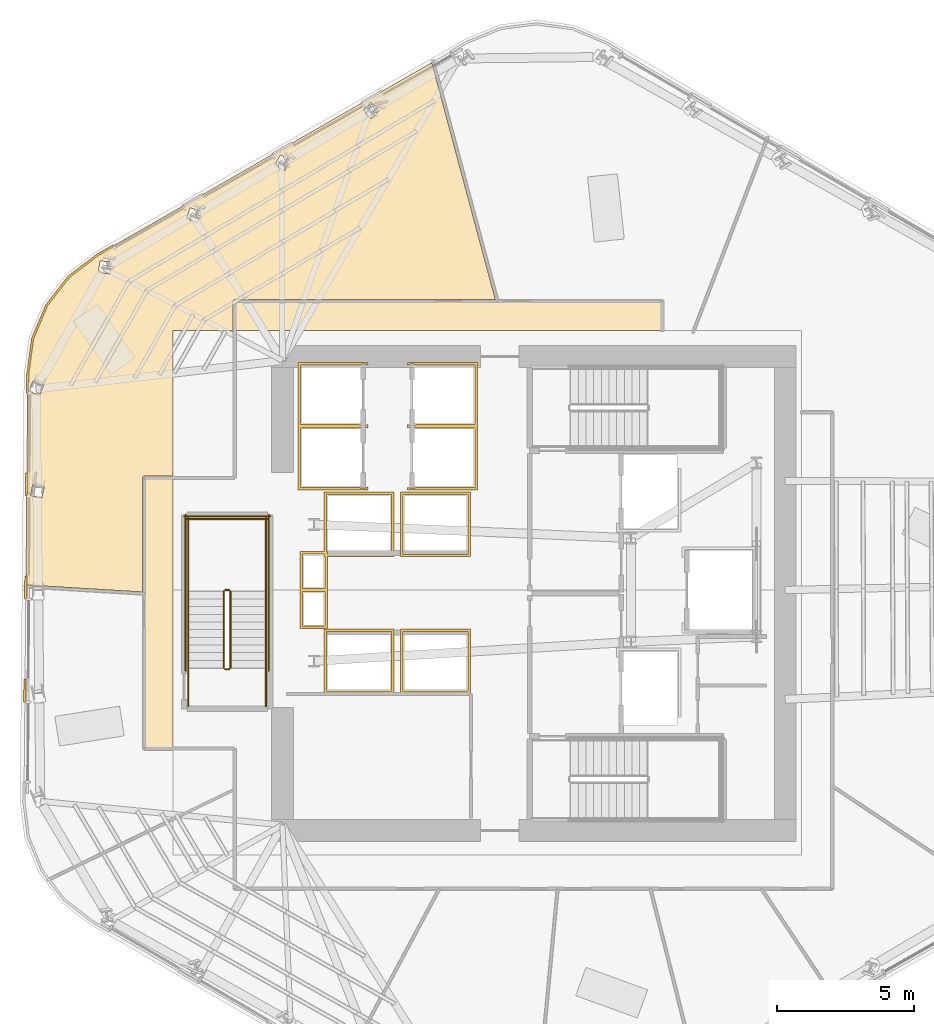
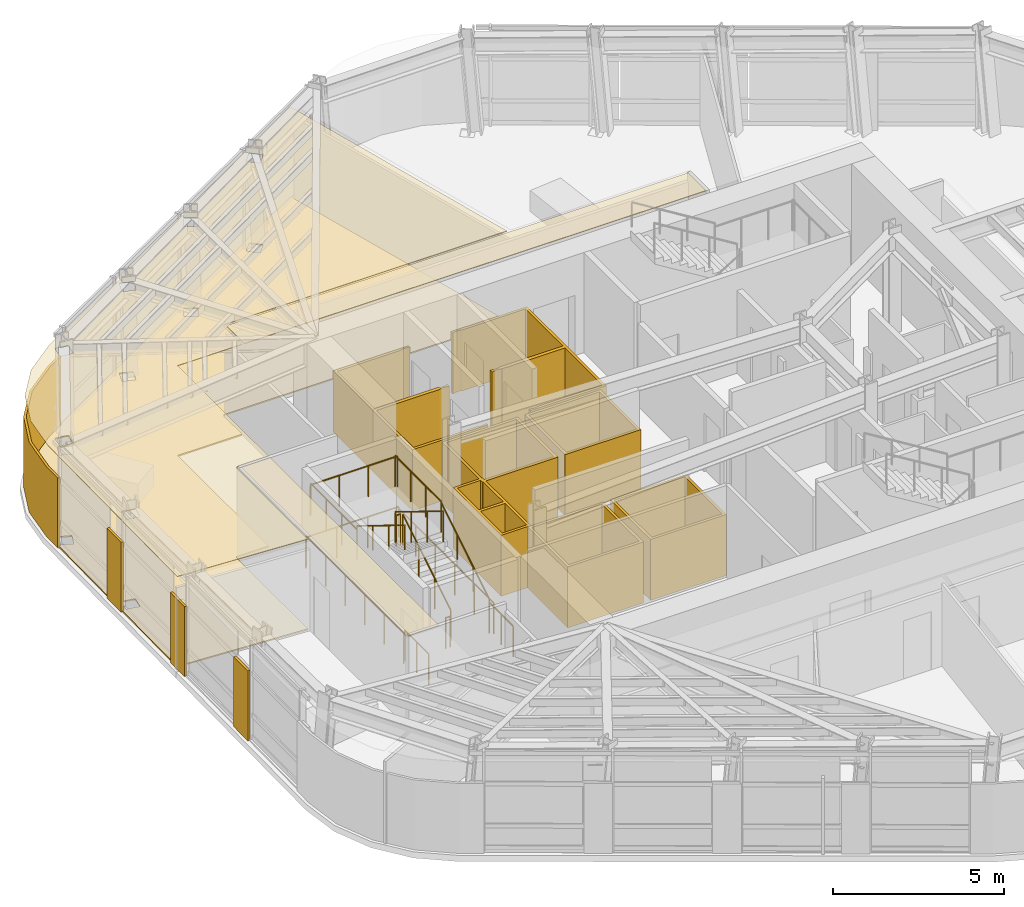
# One storey, part 12 of 16: 14 coverings, 14 railings.
"""IFC4 building model written with IfcOpenShell, lengths in metres."""

from ifc_helpers import new_model, si_unit, direction, frame, origin, origin_2d, place, context, subcontext, project, spatial, polyline, circle, outline, extrude, material, layer, layer_set, type_object, element, save


model = new_model("IFC4")

# Units and contexts
model_context = context("Model", 3, precision=1e-05, world=origin(), true_north=direction((0.0, 1.0)))
body_context = subcontext(model_context, "Body", "Model", "MODEL_VIEW")
ifc_project = project(units=[si_unit("LENGTHUNIT", "METRE"), si_unit("AREAUNIT", "SQUARE_METRE"), si_unit("VOLUMEUNIT", "CUBIC_METRE"), si_unit("PLANEANGLEUNIT", "RADIAN"), si_unit("MASSUNIT", "GRAM", prefix="KILO")], contexts=[model_context])

# Site, building, storey
site_placement = place(None, origin())
site = spatial("IfcSite", under=ifc_project, at=site_placement, CompositionType="ELEMENT")
building_placement = place(site_placement, origin())
building = spatial("IfcBuilding", under=site, at=building_placement, Name="Valkerne Bourse Tower", CompositionType="ELEMENT")
storey_placement = place(building_placement, frame((0.0, 0.0, 151.39990234375)))
storey = spatial("IfcBuildingStorey", under=building, at=storey_placement, Name="L38", CompositionType="ELEMENT", Elevation=151.39990234375)

# Coverings
ifc_material_1 = material(Name="Mineral Fiber Acoustic Ceiling Tile", Category="acoustic")
ifc_layer_1 = layer(ifc_material_1, 0.02490234375)
ifc_layer_set_1 = layer_set([ifc_layer_1], Name="Mineral Fiber Acoustic Ceiling Tile")
covering_type_1 = type_object("IfcCoveringType", Name="COV-CEIL-ACT", PredefinedType="CEILING", material=ifc_layer_set_1)
covering_1_placement = place(storey_placement, frame((0.0, 0.0, 3.22998046875)))
element("IfcCovering", 1, at=covering_1_placement, inside=storey, type_object=covering_type_1, Name="L38 Suspended Ceiling 11", PredefinedType="CEILING", context=body_context, shape_type="SweptSolid", body=[
    extrude(outline(polyline([(28.970703125, 37.418701171875), (29.779296875, 38.461181640625), (30.83837890625, 39.26513671875), (43.065673828125, 46.302490234375), (45.392333984375, 37.62890625), (35.849365234375, 37.62890625), (35.80419921875, 37.61181640625), (35.787353515625, 37.589111328125), (35.781005859375, 37.560302734375), (35.781005859375, 36.5), (33.60009765625, 36.5), (33.60009765625, 31.1689453125), (32.549560546875, 31.1689453125), (32.52001953125, 31.162109375), (32.49462890625, 31.1416015625), (32.48095703125, 31.1005859375), (32.48095703125, 26.9296875), (28.208740234375, 27.18701171875), (28.27880859375, 34.885009765625), (28.459228515625, 36.2021484375), (28.970703125, 37.418701171875)]), holes=[polyline([(28.876708984375, 30.779296875), (28.87744140625, 30.781982421875), (28.4619140625, 30.869384765625), (28.376708984375, 30.465087890625), (28.376220703125, 30.46240234375), (28.791748046875, 30.375), (28.876708984375, 30.779296875)]), polyline([(28.8720703125, 34.502685546875), (28.480224609375, 34.666748046875), (28.32080078125, 34.285888671875), (28.319580078125, 34.283203125), (28.71142578125, 34.119140625), (28.870849609375, 34.500244140625), (28.8720703125, 34.502685546875)]), polyline([(31.33349609375, 38.99658203125), (30.923095703125, 39.052001953125), (30.92138671875, 39.049560546875), (30.865966796875, 38.629638671875), (31.2763671875, 38.574462890625), (31.278076171875, 38.57666015625), (31.33349609375, 38.99658203125)]), polyline([(34.614013671875, 40.861572265625), (34.22119140625, 40.992919921875), (34.21923828125, 40.990966796875), (34.0859375, 40.5888671875), (34.478759765625, 40.45751953125), (34.480712890625, 40.45947265625), (34.614013671875, 40.861572265625)]), polyline([(37.674072265625, 42.3505859375), (37.88623046875, 42.71728515625), (37.5283203125, 42.925537109375), (37.526123046875, 42.92431640625), (37.313720703125, 42.5576171875), (37.671630859375, 42.34912109375), (37.674072265625, 42.3505859375)]), polyline([(40.8642578125, 44.253662109375), (41.146728515625, 44.569580078125), (40.8388671875, 44.84619140625), (40.836181640625, 44.845458984375), (40.5537109375, 44.529541015625), (40.86181640625, 44.252685546875), (40.8642578125, 44.253662109375)])]), origin(), (0.0, 0.0, 1.0), 0.025146484375),
])
ifc_material_2 = material(Name="Bronze Anodised Aluminium AA 6063-T6", Category="aluminium")
ifc_layer_2 = layer(ifc_material_2, 0.030029296875)
ifc_layer_set_2 = layer_set([ifc_layer_2], Name="Bronze Anodised Aluminium AA 6063-T6")
covering_type_2 = type_object("IfcCoveringType", Name="COV-CEIL-METAL", PredefinedType="CEILING", material=ifc_layer_set_2)
covering_2_placement = place(storey_placement, frame((0.0, 0.0, 3.22998046875)))
element("IfcCovering", 2, at=covering_2_placement, inside=storey, type_object=covering_type_2, Name="L38 Suspended Ceiling 02", PredefinedType="CEILING", context=body_context, shape_type="SweptSolid", body=[
    extrude(outline(polyline([(32.553955078125, 21.2041015625), (32.553955078125, 31.095947265625), (33.60009765625, 31.095947265625), (33.60009765625, 21.2041015625), (32.553955078125, 21.2041015625)])), origin(), (0.0, 0.0, 1.0), 0.025146484375),
])
covering_3_placement = place(storey_placement, frame((0.0, 0.0, 3.22998046875)))
element("IfcCovering", 3, at=covering_3_placement, inside=storey, type_object=covering_type_2, Name="L38 Suspended Ceiling 03", PredefinedType="CEILING", context=body_context, shape_type="SweptSolid", body=[
    extrude(outline(polyline([(35.85400390625, 37.555908203125), (51.49609375, 37.555908203125), (51.49609375, 36.5), (35.85400390625, 36.5), (35.85400390625, 37.555908203125)])), origin(), (0.0, 0.0, 1.0), 0.025146484375),
])
ifc_layer_3 = layer(ifc_material_2, 0.06005859375)
ifc_layer_set_3 = layer_set([ifc_layer_3], Name="Bronze Anodised Aluminium AA 6063-T6")
covering_type_3 = type_object("IfcCoveringType", Name="COV-CRN-ALUM", PredefinedType="CLADDING", material=ifc_layer_set_3)
covering_4_placement = place(storey_placement, origin())
element("IfcCovering", 4, at=covering_4_placement, inside=storey, type_object=covering_type_3, Name="L38 Wind-Shaped Corner Aluminium Cladding 10", PredefinedType="CLADDING", context=body_context, shape_type="SweptSolid", body=[
    extrude(outline(polyline([(28.13330078125, 23.74658203125), (28.21337890625, 23.74609375), (28.205810546875, 22.90625), (28.125732421875, 22.90673828125), (28.13330078125, 23.74658203125)])), origin(), (0.0, 0.0, 1.0), 2.5),
])
covering_5_placement = place(storey_placement, origin())
element("IfcCovering", 5, at=covering_5_placement, inside=storey, type_object=covering_type_3, Name="L38 Wind-Shaped Corner Aluminium Cladding 11", PredefinedType="CLADDING", context=body_context, shape_type="SweptSolid", body=[
    extrude(outline(polyline([(28.167724609375, 27.517578125), (28.247802734375, 27.51708984375), (28.239990234375, 26.67724609375), (28.159912109375, 26.677490234375), (28.167724609375, 27.517578125)])), origin(), (0.0, 0.0, 1.0), 2.5),
])
covering_6_placement = place(storey_placement, origin())
element("IfcCovering", 6, at=covering_6_placement, inside=storey, type_object=covering_type_3, Name="L38 Wind-Shaped Corner Aluminium Cladding 12", PredefinedType="CLADDING", context=body_context, shape_type="SweptSolid", body=[
    extrude(outline(polyline([(28.201904296875, 31.288330078125), (28.281982421875, 31.2880859375), (28.2744140625, 30.447998046875), (28.1943359375, 30.448486328125), (28.201904296875, 31.288330078125)])), origin(), (0.0, 0.0, 1.0), 2.5),
])
covering_7_placement = place(storey_placement, origin())
element("IfcCovering", 7, at=covering_7_placement, inside=storey, type_object=covering_type_3, Name="L38 Wind-Shaped Corner Aluminium Cladding 13", PredefinedType="CLADDING", context=body_context, shape_type="SweptSolid", body=[
    extrude(outline(polyline([(28.23486328125, 34.88818359375), (28.41650390625, 36.2138671875), (28.932373046875, 37.44091796875), (29.748046875, 38.492919921875), (30.81396484375, 39.3017578125), (31.393798828125, 39.635498046875), (31.433349609375, 39.56591796875), (30.858154296875, 39.235107421875), (29.804931640625, 38.435546875), (29.001953125, 37.400390625), (28.494384765625, 36.192626953125), (28.314697265625, 34.882568359375), (28.30859375, 34.218994140625), (28.228759765625, 34.219482421875), (28.23486328125, 34.88818359375)])), origin(), (0.0, 0.0, 1.0), 2.5),
])
ifc_material_3 = material(Name="Galvanised Painted Steel", Category="steel")
ifc_layer_4 = layer(ifc_material_3, 0.044921875)
ifc_layer_set_4 = layer_set([ifc_layer_4], Name="Galvanised Painted Steel")
covering_type_4 = type_object("IfcCoveringType", Name="COV-FLR-RAF", PredefinedType="FLOORING", material=ifc_layer_set_4)
covering_8_placement = place(storey_placement, origin())
element("IfcCovering", 8, at=covering_8_placement, inside=storey, type_object=covering_type_4, Name="L38 Floor Finish 11", PredefinedType="FLOORING", context=body_context, shape_type="SweptSolid", body=[
    extrude(outline(polyline([(28.970703125, 37.418701171875), (29.779296875, 38.461181640625), (30.83837890625, 39.26513671875), (43.065673828125, 46.302490234375), (45.392333984375, 37.62890625), (35.849365234375, 37.62890625), (35.80419921875, 37.61181640625), (35.787353515625, 37.589111328125), (35.781005859375, 37.560302734375), (35.781005859375, 36.5), (33.60009765625, 36.5), (33.60009765625, 31.1689453125), (32.549560546875, 31.1689453125), (32.52001953125, 31.162109375), (32.49462890625, 31.1416015625), (32.48095703125, 31.1005859375), (32.48095703125, 26.9296875), (28.208740234375, 27.18701171875), (28.27880859375, 34.885009765625), (28.459228515625, 36.2021484375), (28.970703125, 37.418701171875)]), holes=[polyline([(28.876708984375, 30.779296875), (28.87744140625, 30.781982421875), (28.4619140625, 30.869384765625), (28.376708984375, 30.465087890625), (28.376220703125, 30.46240234375), (28.791748046875, 30.375), (28.876708984375, 30.779296875)]), polyline([(28.8720703125, 34.502685546875), (28.480224609375, 34.666748046875), (28.32080078125, 34.285888671875), (28.319580078125, 34.283203125), (28.71142578125, 34.119140625), (28.870849609375, 34.500244140625), (28.8720703125, 34.502685546875)]), polyline([(31.33349609375, 38.99658203125), (30.923095703125, 39.052001953125), (30.92138671875, 39.049560546875), (30.865966796875, 38.629638671875), (31.2763671875, 38.574462890625), (31.278076171875, 38.57666015625), (31.33349609375, 38.99658203125)]), polyline([(34.614013671875, 40.861572265625), (34.22119140625, 40.992919921875), (34.21923828125, 40.990966796875), (34.0859375, 40.5888671875), (34.478759765625, 40.45751953125), (34.480712890625, 40.45947265625), (34.614013671875, 40.861572265625)]), polyline([(37.674072265625, 42.3505859375), (37.88623046875, 42.71728515625), (37.5283203125, 42.925537109375), (37.526123046875, 42.92431640625), (37.313720703125, 42.5576171875), (37.671630859375, 42.34912109375), (37.674072265625, 42.3505859375)]), polyline([(40.8642578125, 44.253662109375), (41.146728515625, 44.569580078125), (40.8388671875, 44.84619140625), (40.836181640625, 44.845458984375), (40.5537109375, 44.529541015625), (40.86181640625, 44.252685546875), (40.8642578125, 44.253662109375)])]), origin(), (0.0, 0.0, 1.0), 0.045166015625),
])
ifc_material_4 = material(Name="Gypsum Shaftwall Liner Board", Category="gypsum")
ifc_layer_5 = layer(ifc_material_4, 0.080078125)
ifc_layer_set_5 = layer_set([ifc_layer_5], Name="Gypsum Shaftwall Liner Board")
covering_type_5 = type_object("IfcCoveringType", Name="COV-SHF-CLAD", PredefinedType="CLADDING", material=ifc_layer_set_5)
covering_9_placement = place(storey_placement, origin())
element("IfcCovering", 9, at=covering_9_placement, inside=storey, type_object=covering_type_5, Name="L38 Hoistway & Riser Shaftwall Liner 01", PredefinedType="CLADDING", context=body_context, shape_type="SweptSolid", body=[
    extrude(outline(polyline([(41.679931640625, 25.580078125), (41.679931640625, 23.219970703125), (39.1201171875, 23.219970703125), (39.1201171875, 25.580078125), (41.679931640625, 25.580078125)]), holes=[polyline([(41.590087890625, 25.489990234375), (39.2099609375, 25.489990234375), (39.2099609375, 23.31005859375), (41.590087890625, 23.31005859375), (41.590087890625, 25.489990234375)])]), origin(), (0.0, 0.0, 1.0), 2.18017578125),
])
covering_10_placement = place(storey_placement, origin())
element("IfcCovering", 10, at=covering_10_placement, inside=storey, type_object=covering_type_5, Name="L38 Hoistway & Riser Shaftwall Liner 02", PredefinedType="CLADDING", context=body_context, shape_type="SweptSolid", body=[
    extrude(outline(polyline([(44.47998046875, 23.219970703125), (41.919921875, 23.219970703125), (41.919921875, 25.580078125), (44.47998046875, 25.580078125), (44.47998046875, 23.219970703125)]), holes=[polyline([(42.010009765625, 25.489990234375), (42.010009765625, 23.31005859375), (44.389892578125, 23.31005859375), (44.389892578125, 25.489990234375), (42.010009765625, 25.489990234375)])]), origin(), (0.0, 0.0, 1.0), 2.18017578125),
])
covering_11_placement = place(storey_placement, origin())
element("IfcCovering", 11, at=covering_11_placement, inside=storey, type_object=covering_type_5, Name="L38 Hoistway & Riser Shaftwall Liner 03", PredefinedType="CLADDING", context=body_context, shape_type="SweptSolid", body=[
    extrude(outline(polyline([(38.239990234375, 28.409912109375), (39.1201171875, 28.409912109375), (39.1201171875, 30.580078125), (41.679931640625, 30.580078125), (41.679931640625, 28.219970703125), (39.239990234375, 28.219970703125), (39.239990234375, 27.0400390625), (39.239990234375, 26.9599609375), (39.239990234375, 25.590087890625), (38.239990234375, 25.590087890625), (38.239990234375, 26.9599609375), (38.239990234375, 27.0400390625), (38.239990234375, 28.409912109375)]), holes=[polyline([(38.330078125, 26.949951171875), (38.330078125, 25.679931640625), (39.14990234375, 25.679931640625), (39.14990234375, 26.949951171875), (38.330078125, 26.949951171875)]), polyline([(39.2099609375, 30.489990234375), (39.2099609375, 28.409912109375), (39.239990234375, 28.409912109375), (39.239990234375, 28.31005859375), (41.590087890625, 28.31005859375), (41.590087890625, 30.489990234375), (39.2099609375, 30.489990234375)]), polyline([(38.330078125, 27.050048828125), (39.14990234375, 27.050048828125), (39.14990234375, 28.219970703125), (39.1201171875, 28.219970703125), (39.1201171875, 28.320068359375), (38.330078125, 28.320068359375), (38.330078125, 27.050048828125)])]), origin(), (0.0, 0.0, 1.0), 2.18017578125),
])
covering_12_placement = place(storey_placement, origin())
element("IfcCovering", 12, at=covering_12_placement, inside=storey, type_object=covering_type_5, Name="L38 Hoistway & Riser Shaftwall Liner 04", PredefinedType="CLADDING", context=body_context, shape_type="SweptSolid", body=[
    extrude(outline(polyline([(38.169921875, 35.330078125), (40.72998046875, 35.330078125), (40.72998046875, 35.232177734375), (40.72216796875, 35.235595703125), (40.6806640625, 35.25048828125), (40.6376953125, 35.261474609375), (40.593994140625, 35.267822265625), (40.550048828125, 35.27001953125), (40.505859375, 35.267822265625), (40.462158203125, 35.261474609375), (40.41943359375, 35.25048828125), (40.3896484375, 35.239990234375), (38.260009765625, 35.239990234375), (38.260009765625, 33.06005859375), (40.3896484375, 33.06005859375), (40.41943359375, 33.04931640625), (40.462158203125, 33.03857421875), (40.505859375, 33.0322265625), (40.550048828125, 33.030029296875), (40.593994140625, 33.0322265625), (40.6376953125, 33.03857421875), (40.6806640625, 33.04931640625), (40.72216796875, 33.064208984375), (40.72998046875, 33.06787109375), (40.72998046875, 33.030029296875), (40.72998046875, 32.969970703125), (40.72998046875, 32.93212890625), (40.72216796875, 32.935791015625), (40.6806640625, 32.95068359375), (40.6376953125, 32.96142578125), (40.593994140625, 32.9677734375), (40.550048828125, 32.969970703125), (40.505859375, 32.9677734375), (40.462158203125, 32.96142578125), (40.41943359375, 32.95068359375), (40.3896484375, 32.93994140625), (38.260009765625, 32.93994140625), (38.260009765625, 30.760009765625), (40.3896484375, 30.760009765625), (40.41943359375, 30.74951171875), (40.462158203125, 30.738525390625), (40.505859375, 30.732177734375), (40.550048828125, 30.72998046875), (40.593994140625, 30.732177734375), (40.6376953125, 30.738525390625), (40.6806640625, 30.74951171875), (40.72216796875, 30.764404296875), (40.72998046875, 30.767822265625), (40.72998046875, 30.669921875), (38.169921875, 30.669921875), (38.169921875, 32.969970703125), (38.169921875, 33.030029296875), (38.169921875, 35.330078125)])), origin(), (0.0, 0.0, 1.0), 2.18017578125),
])
covering_13_placement = place(storey_placement, origin())
element("IfcCovering", 13, at=covering_13_placement, inside=storey, type_object=covering_type_5, Name="L38 Hoistway & Riser Shaftwall Liner 07", PredefinedType="CLADDING", context=body_context, shape_type="SweptSolid", body=[
    extrude(outline(polyline([(44.47998046875, 28.219970703125), (41.919921875, 28.219970703125), (41.919921875, 30.580078125), (44.47998046875, 30.580078125), (44.47998046875, 28.219970703125)]), holes=[polyline([(42.010009765625, 30.489990234375), (42.010009765625, 28.31005859375), (44.389892578125, 28.31005859375), (44.389892578125, 30.489990234375), (42.010009765625, 30.489990234375)])]), origin(), (0.0, 0.0, 1.0), 2.18017578125),
])
covering_14_placement = place(storey_placement, origin())
element("IfcCovering", 14, at=covering_14_placement, inside=storey, type_object=covering_type_5, Name="L38 Hoistway & Riser Shaftwall Liner 09", PredefinedType="CLADDING", context=body_context, shape_type="SweptSolid", body=[
    extrude(outline(polyline([(42.169921875, 33.06787109375), (42.177734375, 33.064208984375), (42.219482421875, 33.04931640625), (42.26220703125, 33.03857421875), (42.305908203125, 33.0322265625), (42.35009765625, 33.030029296875), (42.39404296875, 33.0322265625), (42.437744140625, 33.03857421875), (42.480712890625, 33.04931640625), (42.51025390625, 33.06005859375), (44.639892578125, 33.06005859375), (44.639892578125, 35.239990234375), (42.51025390625, 35.239990234375), (42.480712890625, 35.25048828125), (42.437744140625, 35.261474609375), (42.39404296875, 35.267822265625), (42.35009765625, 35.27001953125), (42.305908203125, 35.267822265625), (42.26220703125, 35.261474609375), (42.219482421875, 35.25048828125), (42.177734375, 35.235595703125), (42.169921875, 35.232177734375), (42.169921875, 35.330078125), (44.72998046875, 35.330078125), (44.72998046875, 33.030029296875), (44.72998046875, 32.969970703125), (44.72998046875, 30.669921875), (42.169921875, 30.669921875), (42.169921875, 30.767822265625), (42.177734375, 30.764404296875), (42.219482421875, 30.74951171875), (42.26220703125, 30.738525390625), (42.305908203125, 30.732177734375), (42.35009765625, 30.72998046875), (42.39404296875, 30.732177734375), (42.437744140625, 30.738525390625), (42.480712890625, 30.74951171875), (42.51025390625, 30.760009765625), (44.639892578125, 30.760009765625), (44.639892578125, 32.93994140625), (42.51025390625, 32.93994140625), (42.480712890625, 32.95068359375), (42.437744140625, 32.96142578125), (42.39404296875, 32.9677734375), (42.35009765625, 32.969970703125), (42.305908203125, 32.9677734375), (42.26220703125, 32.96142578125), (42.219482421875, 32.95068359375), (42.177734375, 32.935791015625), (42.169921875, 32.93212890625), (42.169921875, 32.969970703125), (42.169921875, 33.030029296875), (42.169921875, 33.06787109375)])), origin(), (0.0, 0.0, 1.0), 2.18017578125),
])

# Railings
railing_type_1 = type_object("IfcRailingType", Name="RLG-ST-GUARD-1120", PredefinedType="GUARDRAIL", material=ifc_material_3)
railing_1_placement = place(storey_placement, frame((35.699951171875, 24.14990234375, 0.1728515625)))
element("IfcRailing", 15, at=railing_1_placement, inside=storey, type_object=railing_type_1, Name="L38 ST-3 stair guard 1", PredefinedType="GUARDRAIL", context=body_context, shape_type="SweptSolid", body=[
    extrude(circle(Radius=0.02392578125, at=origin_2d()), frame((0.0, 0.0, 1.09619140625), z_axis=(0.0, 0.851089632645, 0.525020415988), x_axis=(-1.0, 0.0, 0.0)), (0.0, 0.0, 1.0), 3.2900390625),
    extrude(circle(Radius=0.02099609375, at=origin_2d()), origin(), (0.0, 0.0, 1.0), 1.072021484375),
    extrude(circle(Radius=0.02099609375, at=origin_2d()), frame((0.0, 0.933349609375, 0.57568359375)), (0.0, 0.0, 1.0), 1.072021484375),
    extrude(circle(Radius=0.02099609375, at=origin_2d()), frame((0.0, 1.86669921875, 1.151611328125)), (0.0, 0.0, 1.0), 1.072021484375),
    extrude(circle(Radius=0.02099609375, at=origin_2d()), frame((0.0, 2.800048828125, 1.727294921875)), (0.0, 0.0, 1.0), 1.072021484375),
])
railing_2_placement = place(storey_placement, frame((35.64990234375, 27.0, 1.900146484375)))
element("IfcRailing", 16, at=railing_2_placement, inside=storey, type_object=railing_type_1, Name="L38 ST-3 stair guard 2", PredefinedType="GUARDRAIL", context=body_context, shape_type="SweptSolid", body=[
    extrude(circle(Radius=0.02392578125, at=origin_2d()), frame((0.0, 0.0, 1.09619140625), z_axis=(-1.0, 0.0, 0.0), x_axis=(0.0, -1.0, 0.0)), (0.0, 0.0, 1.0), 0.14990234375),
    extrude(circle(Radius=0.02099609375, at=origin_2d()), origin(), (0.0, 0.0, 1.0), 1.072021484375),
    extrude(circle(Radius=0.02099609375, at=origin_2d()), frame((-0.14990234375, 0.0, 0.0)), (0.0, 0.0, 1.0), 1.072021484375),
])
for number, where, name in (
    (17, (37.0, 26.949951171875, 1.900146484375), "L38 ST-3 stair guard 3"),
    (18, (34.14990234375, 26.949951171875, 1.900146484375), "L38 ST-3 stair guard 4"),
):
    element("IfcRailing", number, at=place(storey_placement, frame(where)), inside=storey, type_object=railing_type_1, Name=name, PredefinedType="GUARDRAIL", context=body_context, shape_type="SweptSolid", body=[
        extrude(circle(Radius=0.02392578125, at=origin_2d()), frame((0.0, 0.0, 1.09619140625), z_axis=(0.0, 1.0, 0.0), x_axis=(-1.0, 0.0, 0.0)), (0.0, 0.0, 1.0), 2.699951171875),
        extrude(circle(Radius=0.02099609375, at=origin_2d()), origin(), (0.0, 0.0, 1.0), 1.072021484375),
        extrude(circle(Radius=0.02099609375, at=origin_2d()), frame((0.0, 0.89990234375, 0.0)), (0.0, 0.0, 1.0), 1.072021484375),
        extrude(circle(Radius=0.02099609375, at=origin_2d()), frame((0.0, 1.800048828125, 0.0)), (0.0, 0.0, 1.0), 1.072021484375),
        extrude(circle(Radius=0.02099609375, at=origin_2d()), frame((0.0, 2.699951171875, 0.0)), (0.0, 0.0, 1.0), 1.072021484375),
    ])
railing_3_placement = place(storey_placement, frame((37.050048828125, 29.60009765625, 1.900146484375)))
element("IfcRailing", 19, at=railing_3_placement, inside=storey, type_object=railing_type_1, Name="L38 ST-3 stair guard 5", PredefinedType="GUARDRAIL", context=body_context, shape_type="SweptSolid", body=[
    extrude(circle(Radius=0.02392578125, at=origin_2d()), frame((0.0, 0.0, 1.09619140625), z_axis=(-1.0, 0.0, 0.0), x_axis=(0.0, -1.0, 0.0)), (0.0, 0.0, 1.0), 2.949951171875),
    extrude(circle(Radius=0.02099609375, at=origin_2d()), origin(), (0.0, 0.0, 1.0), 1.072021484375),
    extrude(circle(Radius=0.02099609375, at=origin_2d()), frame((-0.9833984375, 0.0, 0.0)), (0.0, 0.0, 1.0), 1.072021484375),
    extrude(circle(Radius=0.02099609375, at=origin_2d()), frame((-1.966552734375, 0.0, 0.0)), (0.0, 0.0, 1.0), 1.072021484375),
    extrude(circle(Radius=0.02099609375, at=origin_2d()), frame((-2.949951171875, 0.0, 0.0)), (0.0, 0.0, 1.0), 1.072021484375),
])
railing_4_placement = place(storey_placement, frame((35.449951171875, 26.949951171875, 2.07275390625)))
element("IfcRailing", 20, at=railing_4_placement, inside=storey, type_object=railing_type_1, Name="L38 ST-3 stair guard 6", PredefinedType="GUARDRAIL", context=body_context, shape_type="SweptSolid", body=[
    extrude(circle(Radius=0.02392578125, at=origin_2d()), frame((0.0, 0.0, 1.09619140625), z_axis=(0.0, -0.851089632645, 0.525020415988), x_axis=(1.0, 0.0, 0.0)), (0.0, 0.0, 1.0), 3.2900390625),
    extrude(circle(Radius=0.02099609375, at=origin_2d()), origin(), (0.0, 0.0, 1.0), 1.072021484375),
    extrude(circle(Radius=0.02099609375, at=origin_2d()), frame((0.0, -0.933349609375, 0.57568359375)), (0.0, 0.0, 1.0), 1.072021484375),
    extrude(circle(Radius=0.02099609375, at=origin_2d()), frame((0.0, -1.86669921875, 1.151611328125)), (0.0, 0.0, 1.0), 1.072021484375),
    extrude(circle(Radius=0.02099609375, at=origin_2d()), frame((0.0, -2.800048828125, 1.727294921875)), (0.0, 0.0, 1.0), 1.072021484375),
])
railing_5_placement = place(storey_placement, frame((35.64990234375, 24.10009765625, 0.0)))
element("IfcRailing", 21, at=railing_5_placement, inside=storey, type_object=railing_type_1, Name="L38 ST-3 stair guard 7", PredefinedType="GUARDRAIL", context=body_context, shape_type="SweptSolid", body=[
    extrude(circle(Radius=0.02392578125, at=origin_2d()), frame((0.0, 0.0, 1.09619140625), z_axis=(-1.0, 0.0, 0.0), x_axis=(0.0, -1.0, 0.0)), (0.0, 0.0, 1.0), 0.14990234375),
    extrude(circle(Radius=0.02099609375, at=origin_2d()), origin(), (0.0, 0.0, 1.0), 1.072021484375),
    extrude(circle(Radius=0.02099609375, at=origin_2d()), frame((-0.14990234375, 0.0, 0.0)), (0.0, 0.0, 1.0), 1.072021484375),
])
for number, where, name in (
    (22, (37.0, 22.75, 0.0), "L38 ST-3 stair guard 8"),
    (23, (34.14990234375, 22.75, 0.0), "L38 ST-3 stair guard 9"),
):
    element("IfcRailing", number, at=place(storey_placement, frame(where)), inside=storey, type_object=railing_type_1, Name=name, PredefinedType="GUARDRAIL", context=body_context, shape_type="SweptSolid", body=[
        extrude(circle(Radius=0.02392578125, at=origin_2d()), frame((0.0, 0.0, 1.09619140625), z_axis=(0.0, 1.0, 0.0), x_axis=(-1.0, 0.0, 0.0)), (0.0, 0.0, 1.0), 1.39990234375),
        extrude(circle(Radius=0.02099609375, at=origin_2d()), origin(), (0.0, 0.0, 1.0), 1.072021484375),
        extrude(circle(Radius=0.02099609375, at=origin_2d()), frame((0.0, 0.699951171875, 0.0)), (0.0, 0.0, 1.0), 1.072021484375),
        extrude(circle(Radius=0.02099609375, at=origin_2d()), frame((0.0, 1.39990234375, 0.0)), (0.0, 0.0, 1.0), 1.072021484375),
    ])
for number, where, name in (
    (24, (37.10009765625, 24.050048828125, 0.0), "L38 ST-3 stair guard 10"),
    (25, (34.050048828125, 24.050048828125, 0.0), "L38 ST-3 stair guard 11"),
):
    element("IfcRailing", number, at=place(storey_placement, frame(where)), inside=storey, type_object=railing_type_1, Name=name, PredefinedType="GUARDRAIL", context=body_context, shape_type="SweptSolid", body=[
        extrude(circle(Radius=0.02392578125, at=origin_2d()), frame((0.0, 0.0, 1.09619140625), z_axis=(0.0, 1.0, 0.0), x_axis=(-1.0, 0.0, 0.0)), (0.0, 0.0, 1.0), 5.699951171875),
        extrude(circle(Radius=0.02099609375, at=origin_2d()), origin(), (0.0, 0.0, 1.0), 1.072021484375),
        extrude(circle(Radius=0.02099609375, at=origin_2d()), frame((0.0, 1.139892578125, 0.0)), (0.0, 0.0, 1.0), 1.072021484375),
        extrude(circle(Radius=0.02099609375, at=origin_2d()), frame((0.0, 2.280029296875, 0.0)), (0.0, 0.0, 1.0), 1.072021484375),
        extrude(circle(Radius=0.02099609375, at=origin_2d()), frame((0.0, 3.419921875, 0.0)), (0.0, 0.0, 1.0), 1.072021484375),
        extrude(circle(Radius=0.02099609375, at=origin_2d()), frame((0.0, 4.56005859375, 0.0)), (0.0, 0.0, 1.0), 1.072021484375),
        extrude(circle(Radius=0.02099609375, at=origin_2d()), frame((0.0, 5.699951171875, 0.0)), (0.0, 0.0, 1.0), 1.072021484375),
    ])
railing_6_placement = place(storey_placement, frame((37.14990234375, 29.699951171875, 0.0)))
element("IfcRailing", 26, at=railing_6_placement, inside=storey, type_object=railing_type_1, Name="L38 ST-3 stair guard 12", PredefinedType="GUARDRAIL", context=body_context, shape_type="SweptSolid", body=[
    extrude(circle(Radius=0.02392578125, at=origin_2d()), frame((0.0, 0.0, 1.09619140625), z_axis=(-1.0, 0.0, 0.0), x_axis=(0.0, -1.0, 0.0)), (0.0, 0.0, 1.0), 3.14990234375),
    extrude(circle(Radius=0.02099609375, at=origin_2d()), origin(), (0.0, 0.0, 1.0), 1.072021484375),
    extrude(circle(Radius=0.02099609375, at=origin_2d()), frame((-1.050048828125, 0.0, 0.0)), (0.0, 0.0, 1.0), 1.072021484375),
    extrude(circle(Radius=0.02099609375, at=origin_2d()), frame((-2.099853515625, 0.0, 0.0)), (0.0, 0.0, 1.0), 1.072021484375),
    extrude(circle(Radius=0.02099609375, at=origin_2d()), frame((-3.14990234375, 0.0, 0.0)), (0.0, 0.0, 1.0), 1.072021484375),
])
ifc_material_5 = material(Name="Stainless Steel AISI 316", Category="steel")
railing_type_2 = type_object("IfcRailingType", Name="RLG-ST-HANDRAIL-900", PredefinedType="HANDRAIL", material=ifc_material_5)
railing_7_placement = place(storey_placement, frame((37.0, 24.14990234375, 0.345458984375)))
element("IfcRailing", 27, at=railing_7_placement, inside=storey, type_object=railing_type_2, Name="L38 ST-3 stair handrail 1", PredefinedType="HANDRAIL", context=body_context, shape_type="SweptSolid", body=[
    extrude(circle(Radius=0.02392578125, at=origin_2d()), frame((0.0, 0.0, 0.8759765625), z_axis=(0.0, 0.851089632645, 0.525020415988), x_axis=(-1.0, 0.0, 0.0)), (0.0, 0.0, 1.0), 3.2900390625),
    extrude(circle(Radius=0.02099609375, at=origin_2d()), origin(), (0.0, 0.0, 1.0), 0.851806640625),
    extrude(circle(Radius=0.02099609375, at=origin_2d()), frame((0.0, 0.933349609375, 0.57568359375)), (0.0, 0.0, 1.0), 0.851806640625),
    extrude(circle(Radius=0.02099609375, at=origin_2d()), frame((0.0, 1.86669921875, 1.151611328125)), (0.0, 0.0, 1.0), 0.851806640625),
    extrude(circle(Radius=0.02099609375, at=origin_2d()), frame((0.0, 2.800048828125, 1.727294921875)), (0.0, 0.0, 1.0), 0.851806640625),
])
railing_8_placement = place(storey_placement, frame((34.14990234375, 26.949951171875, 2.24560546875)))
element("IfcRailing", 28, at=railing_8_placement, inside=storey, type_object=railing_type_2, Name="L38 ST-3 stair handrail 2", PredefinedType="HANDRAIL", context=body_context, shape_type="SweptSolid", body=[
    extrude(circle(Radius=0.02392578125, at=origin_2d()), frame((0.0, 0.0, 0.8759765625), z_axis=(0.0, -0.851089632645, 0.525020415988), x_axis=(1.0, 0.0, 0.0)), (0.0, 0.0, 1.0), 3.2900390625),
    extrude(circle(Radius=0.02099609375, at=origin_2d()), origin(), (0.0, 0.0, 1.0), 0.851806640625),
    extrude(circle(Radius=0.02099609375, at=origin_2d()), frame((0.0, -0.933349609375, 0.57568359375)), (0.0, 0.0, 1.0), 0.851806640625),
    extrude(circle(Radius=0.02099609375, at=origin_2d()), frame((0.0, -1.86669921875, 1.151611328125)), (0.0, 0.0, 1.0), 0.851806640625),
    extrude(circle(Radius=0.02099609375, at=origin_2d()), frame((0.0, -2.800048828125, 1.727294921875)), (0.0, 0.0, 1.0), 0.851806640625),
])

save(model, "model.ifc")
